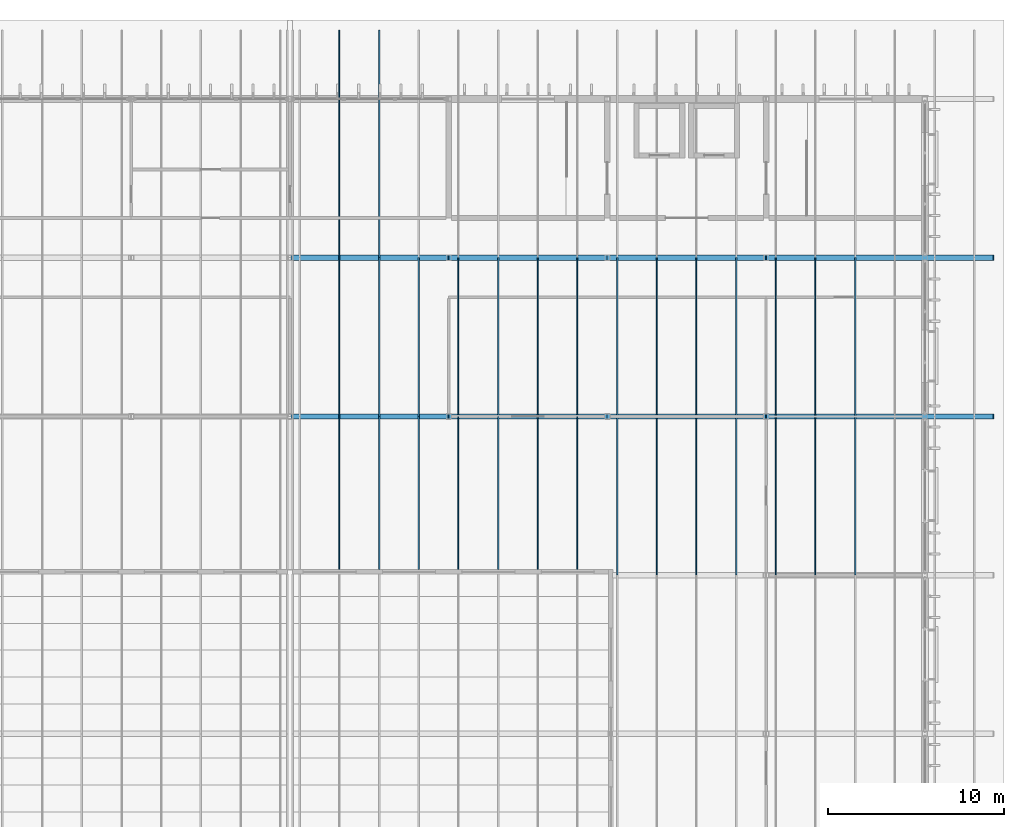
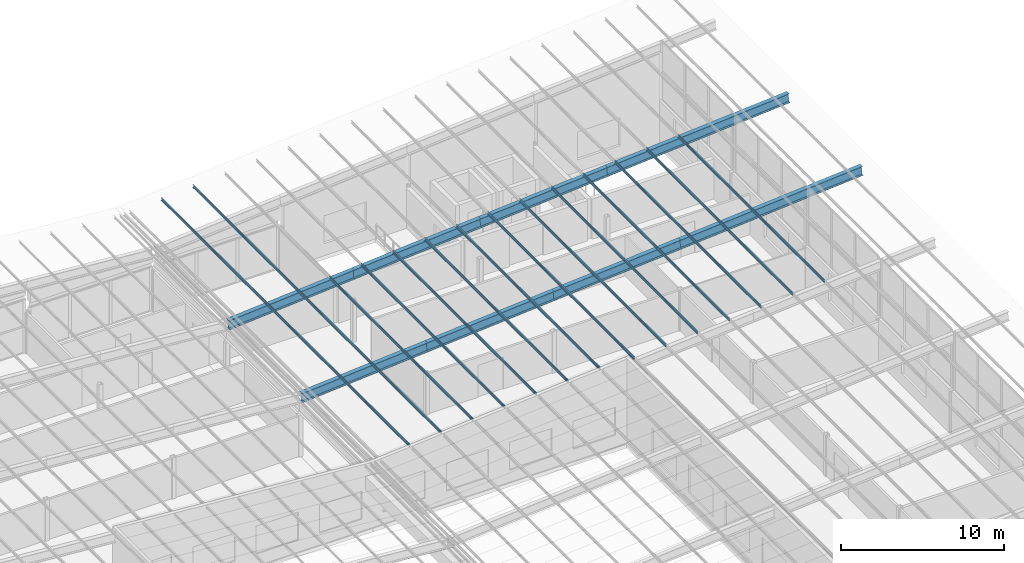
# One storey, part 57 of 85: 38 members.
"""IFC4 building model written with IfcOpenShell, lengths in metres."""

from ifc_helpers import new_model, si_unit, direction, frame, origin, origin_2d, place, context, subcontext, project, spatial, polyline, i_section, outline, extrude, material, material_profile, profile_set, type_object, element, save


model = new_model("IFC4")

# Units and contexts
model_context = context("Model", 3, precision=1e-05, world=origin(), true_north=direction((0.0, 1.0)))
body_context = subcontext(model_context, "Body", "Model", "MODEL_VIEW")
ifc_project = project(units=[si_unit("LENGTHUNIT", "METRE"), si_unit("AREAUNIT", "SQUARE_METRE"), si_unit("VOLUMEUNIT", "CUBIC_METRE"), si_unit("PLANEANGLEUNIT", "RADIAN"), si_unit("MASSUNIT", "GRAM", prefix="KILO")], contexts=[model_context])

# Site, building, storey
site_placement = place(None, origin())
site = spatial("IfcSite", under=ifc_project, at=site_placement, CompositionType="ELEMENT")
building_placement = place(site_placement, origin())
building = spatial("IfcBuilding", under=site, at=building_placement, Name="Opaline Strait Convention Centre", CompositionType="ELEMENT")
storey_placement = place(building_placement, frame((0.0, 0.0, 17.0)))
storey = spatial("IfcBuildingStorey", under=building, at=storey_placement, Name="L03", CompositionType="ELEMENT", Elevation=17.0)

# Members
ifc_material = material(Name="Steel Q355B", Category="steel")
ifc_material_profile_1 = material_profile(ifc_material, outline(polyline([(-0.034912109375, -0.10009765625), (0.034912109375, -0.10009765625), (0.034912109375, -0.080078125), (0.032470703125, -0.080078125), (0.032470703125, -0.097412109375), (-0.032470703125, -0.097412109375), (-0.032470703125, 0.097412109375), (0.032470703125, 0.097412109375), (0.032470703125, 0.080078125), (0.034912109375, 0.080078125), (0.034912109375, 0.10009765625), (-0.034912109375, 0.10009765625), (-0.034912109375, -0.10009765625)])), Name="C 200x70x20x2.5")
ifc_profile_set_1 = profile_set([ifc_material_profile_1], Name="Steel Q355B")
member_type_1 = type_object("IfcMemberType", Name="Roof purlin C 200x70x20x2.5", PredefinedType="PURLIN", material=ifc_profile_set_1)
member_1_placement = place(storey_placement, frame((326.800048828125, 153.324951171875, 5.02294921875), z_axis=(0.0, 1.0, 0.0), x_axis=(-0.996917333733, 0.0, 0.078459095728)))
element("IfcMember", 1, at=member_1_placement, inside=storey, type_object=member_type_1, Name="MRP1 purlin E wing 238", PredefinedType="PURLIN", context=body_context, shape_type="SweptSolid", body=[
    extrude(outline(polyline([(-0.034912109375, -0.10009765625), (0.034912109375, -0.10009765625), (0.034912109375, -0.080078125), (0.032470703125, -0.080078125), (0.032470703125, -0.097412109375), (-0.032470703125, -0.097412109375), (-0.032470703125, 0.097412109375), (0.032470703125, 0.097412109375), (0.032470703125, 0.080078125), (0.034912109375, 0.080078125), (0.034912109375, 0.10009765625), (-0.034912109375, 0.10009765625), (-0.034912109375, -0.10009765625)])), origin(), (0.0, 0.0, 1.0), 8.675048828125),
])
member_2_placement = place(storey_placement, frame((326.800048828125, 162.0, 5.02294921875), z_axis=(0.0, 1.0, 0.0), x_axis=(-0.996917333733, 0.0, 0.078459095728)))
element("IfcMember", 2, at=member_2_placement, inside=storey, type_object=member_type_1, Name="MRP1 purlin E wing 239", PredefinedType="PURLIN", context=body_context, shape_type="SweptSolid", body=[
    extrude(outline(polyline([(-0.034912109375, -0.10009765625), (0.034912109375, -0.10009765625), (0.034912109375, -0.080078125), (0.032470703125, -0.080078125), (0.032470703125, -0.097412109375), (-0.032470703125, -0.097412109375), (-0.032470703125, 0.097412109375), (0.032470703125, 0.097412109375), (0.032470703125, 0.080078125), (0.034912109375, 0.080078125), (0.034912109375, 0.10009765625), (-0.034912109375, 0.10009765625), (-0.034912109375, -0.10009765625)])), origin(), (0.0, 0.0, 1.0), 9.0),
])
member_3_placement = place(storey_placement, frame((326.800048828125, 171.0, 5.02294921875), z_axis=(0.0, 1.0, 0.0), x_axis=(-0.996917333733, 0.0, 0.078459095728)))
element("IfcMember", 3, at=member_3_placement, inside=storey, type_object=member_type_1, Name="MRP1 purlin E wing 240", PredefinedType="PURLIN", context=body_context, shape_type="SweptSolid", body=[
    extrude(outline(polyline([(-0.034912109375, -0.10009765625), (0.034912109375, -0.10009765625), (0.034912109375, -0.080078125), (0.032470703125, -0.080078125), (0.032470703125, -0.097412109375), (-0.032470703125, -0.097412109375), (-0.032470703125, 0.097412109375), (0.032470703125, 0.097412109375), (0.032470703125, 0.080078125), (0.034912109375, 0.080078125), (0.034912109375, 0.10009765625), (-0.034912109375, 0.10009765625), (-0.034912109375, -0.10009765625)])), origin(), (0.0, 0.0, 1.0), 12.89990234375),
])
member_4_placement = place(storey_placement, frame((329.050048828125, 153.324951171875, 5.199951171875), z_axis=(0.0, 1.0, 0.0), x_axis=(-0.996917333733, 0.0, 0.078459095728)))
element("IfcMember", 4, at=member_4_placement, inside=storey, type_object=member_type_1, Name="MRP1 purlin E wing 248", PredefinedType="PURLIN", context=body_context, shape_type="SweptSolid", body=[
    extrude(outline(polyline([(-0.034912109375, -0.10009765625), (0.034912109375, -0.10009765625), (0.034912109375, -0.080078125), (0.032470703125, -0.080078125), (0.032470703125, -0.097412109375), (-0.032470703125, -0.097412109375), (-0.032470703125, 0.097412109375), (0.032470703125, 0.097412109375), (0.032470703125, 0.080078125), (0.034912109375, 0.080078125), (0.034912109375, 0.10009765625), (-0.034912109375, 0.10009765625), (-0.034912109375, -0.10009765625)])), origin(), (0.0, 0.0, 1.0), 8.675048828125),
])
member_5_placement = place(storey_placement, frame((329.050048828125, 162.0, 5.199951171875), z_axis=(0.0, 1.0, 0.0), x_axis=(-0.996917333733, 0.0, 0.078459095728)))
element("IfcMember", 5, at=member_5_placement, inside=storey, type_object=member_type_1, Name="MRP1 purlin E wing 249", PredefinedType="PURLIN", context=body_context, shape_type="SweptSolid", body=[
    extrude(outline(polyline([(-0.034912109375, -0.10009765625), (0.034912109375, -0.10009765625), (0.034912109375, -0.080078125), (0.032470703125, -0.080078125), (0.032470703125, -0.097412109375), (-0.032470703125, -0.097412109375), (-0.032470703125, 0.097412109375), (0.032470703125, 0.097412109375), (0.032470703125, 0.080078125), (0.034912109375, 0.080078125), (0.034912109375, 0.10009765625), (-0.034912109375, 0.10009765625), (-0.034912109375, -0.10009765625)])), origin(), (0.0, 0.0, 1.0), 9.0),
])
member_6_placement = place(storey_placement, frame((329.050048828125, 171.0, 5.199951171875), z_axis=(0.0, 1.0, 0.0), x_axis=(-0.996917333733, 0.0, 0.078459095728)))
element("IfcMember", 6, at=member_6_placement, inside=storey, type_object=member_type_1, Name="MRP1 purlin E wing 250", PredefinedType="PURLIN", context=body_context, shape_type="SweptSolid", body=[
    extrude(outline(polyline([(-0.034912109375, -0.10009765625), (0.034912109375, -0.10009765625), (0.034912109375, -0.080078125), (0.032470703125, -0.080078125), (0.032470703125, -0.097412109375), (-0.032470703125, -0.097412109375), (-0.032470703125, 0.097412109375), (0.032470703125, 0.097412109375), (0.032470703125, 0.080078125), (0.034912109375, 0.080078125), (0.034912109375, 0.10009765625), (-0.034912109375, 0.10009765625), (-0.034912109375, -0.10009765625)])), origin(), (0.0, 0.0, 1.0), 12.89990234375),
])
member_7_placement = place(storey_placement, frame((331.300048828125, 153.324951171875, 5.376953125), z_axis=(0.0, 1.0, 0.0), x_axis=(-0.996917333733, 0.0, 0.078459095728)))
element("IfcMember", 7, at=member_7_placement, inside=storey, type_object=member_type_1, Name="MRP1 purlin E wing 258", PredefinedType="PURLIN", context=body_context, shape_type="SweptSolid", body=[
    extrude(outline(polyline([(-0.034912109375, -0.10009765625), (0.034912109375, -0.10009765625), (0.034912109375, -0.080078125), (0.032470703125, -0.080078125), (0.032470703125, -0.097412109375), (-0.032470703125, -0.097412109375), (-0.032470703125, 0.097412109375), (0.032470703125, 0.097412109375), (0.032470703125, 0.080078125), (0.034912109375, 0.080078125), (0.034912109375, 0.10009765625), (-0.034912109375, 0.10009765625), (-0.034912109375, -0.10009765625)])), origin(), (0.0, 0.0, 1.0), 8.675048828125),
])
member_8_placement = place(storey_placement, frame((331.300048828125, 162.0, 5.376953125), z_axis=(0.0, 1.0, 0.0), x_axis=(-0.996917333733, 0.0, 0.078459095728)))
element("IfcMember", 8, at=member_8_placement, inside=storey, type_object=member_type_1, Name="MRP1 purlin E wing 259", PredefinedType="PURLIN", context=body_context, shape_type="SweptSolid", body=[
    extrude(outline(polyline([(-0.034912109375, -0.10009765625), (0.034912109375, -0.10009765625), (0.034912109375, -0.080078125), (0.032470703125, -0.080078125), (0.032470703125, -0.097412109375), (-0.032470703125, -0.097412109375), (-0.032470703125, 0.097412109375), (0.032470703125, 0.097412109375), (0.032470703125, 0.080078125), (0.034912109375, 0.080078125), (0.034912109375, 0.10009765625), (-0.034912109375, 0.10009765625), (-0.034912109375, -0.10009765625)])), origin(), (0.0, 0.0, 1.0), 9.0),
])
member_9_placement = place(storey_placement, frame((333.550048828125, 153.324951171875, 5.553955078125), z_axis=(0.0, 1.0, 0.0), x_axis=(-0.996917333733, 0.0, 0.078459095728)))
element("IfcMember", 9, at=member_9_placement, inside=storey, type_object=member_type_1, Name="MRP1 purlin E wing 268", PredefinedType="PURLIN", context=body_context, shape_type="SweptSolid", body=[
    extrude(outline(polyline([(-0.034912109375, -0.10009765625), (0.034912109375, -0.10009765625), (0.034912109375, -0.080078125), (0.032470703125, -0.080078125), (0.032470703125, -0.097412109375), (-0.032470703125, -0.097412109375), (-0.032470703125, 0.097412109375), (0.032470703125, 0.097412109375), (0.032470703125, 0.080078125), (0.034912109375, 0.080078125), (0.034912109375, 0.10009765625), (-0.034912109375, 0.10009765625), (-0.034912109375, -0.10009765625)])), origin(), (0.0, 0.0, 1.0), 8.675048828125),
])
member_10_placement = place(storey_placement, frame((333.550048828125, 162.0, 5.553955078125), z_axis=(0.0, 1.0, 0.0), x_axis=(-0.996917333733, 0.0, 0.078459095728)))
element("IfcMember", 10, at=member_10_placement, inside=storey, type_object=member_type_1, Name="MRP1 purlin E wing 269", PredefinedType="PURLIN", context=body_context, shape_type="SweptSolid", body=[
    extrude(outline(polyline([(-0.034912109375, -0.10009765625), (0.034912109375, -0.10009765625), (0.034912109375, -0.080078125), (0.032470703125, -0.080078125), (0.032470703125, -0.097412109375), (-0.032470703125, -0.097412109375), (-0.032470703125, 0.097412109375), (0.032470703125, 0.097412109375), (0.032470703125, 0.080078125), (0.034912109375, 0.080078125), (0.034912109375, 0.10009765625), (-0.034912109375, 0.10009765625), (-0.034912109375, -0.10009765625)])), origin(), (0.0, 0.0, 1.0), 9.0),
])
member_11_placement = place(storey_placement, frame((335.800048828125, 153.324951171875, 5.731201171875), z_axis=(0.0, 1.0, 0.0), x_axis=(-0.996917333733, 0.0, 0.078459095728)))
element("IfcMember", 11, at=member_11_placement, inside=storey, type_object=member_type_1, Name="MRP1 purlin E wing 278", PredefinedType="PURLIN", context=body_context, shape_type="SweptSolid", body=[
    extrude(outline(polyline([(-0.034912109375, -0.10009765625), (0.034912109375, -0.10009765625), (0.034912109375, -0.080078125), (0.032470703125, -0.080078125), (0.032470703125, -0.097412109375), (-0.032470703125, -0.097412109375), (-0.032470703125, 0.097412109375), (0.032470703125, 0.097412109375), (0.032470703125, 0.080078125), (0.034912109375, 0.080078125), (0.034912109375, 0.10009765625), (-0.034912109375, 0.10009765625), (-0.034912109375, -0.10009765625)])), origin(), (0.0, 0.0, 1.0), 8.675048828125),
])
member_12_placement = place(storey_placement, frame((335.800048828125, 162.0, 5.731201171875), z_axis=(0.0, 1.0, 0.0), x_axis=(-0.996917333733, 0.0, 0.078459095728)))
element("IfcMember", 12, at=member_12_placement, inside=storey, type_object=member_type_1, Name="MRP1 purlin E wing 279", PredefinedType="PURLIN", context=body_context, shape_type="SweptSolid", body=[
    extrude(outline(polyline([(-0.034912109375, -0.10009765625), (0.034912109375, -0.10009765625), (0.034912109375, -0.080078125), (0.032470703125, -0.080078125), (0.032470703125, -0.097412109375), (-0.032470703125, -0.097412109375), (-0.032470703125, 0.097412109375), (0.032470703125, 0.097412109375), (0.032470703125, 0.080078125), (0.034912109375, 0.080078125), (0.034912109375, 0.10009765625), (-0.034912109375, 0.10009765625), (-0.034912109375, -0.10009765625)])), origin(), (0.0, 0.0, 1.0), 9.0),
])
member_13_placement = place(storey_placement, frame((338.050048828125, 153.324951171875, 5.908203125), z_axis=(0.0, 1.0, 0.0), x_axis=(-0.996917333733, 0.0, 0.078459095728)))
element("IfcMember", 13, at=member_13_placement, inside=storey, type_object=member_type_1, Name="MRP1 purlin E wing 288", PredefinedType="PURLIN", context=body_context, shape_type="SweptSolid", body=[
    extrude(outline(polyline([(-0.034912109375, -0.10009765625), (0.034912109375, -0.10009765625), (0.034912109375, -0.080078125), (0.032470703125, -0.080078125), (0.032470703125, -0.097412109375), (-0.032470703125, -0.097412109375), (-0.032470703125, 0.097412109375), (0.032470703125, 0.097412109375), (0.032470703125, 0.080078125), (0.034912109375, 0.080078125), (0.034912109375, 0.10009765625), (-0.034912109375, 0.10009765625), (-0.034912109375, -0.10009765625)])), origin(), (0.0, 0.0, 1.0), 8.675048828125),
])
member_14_placement = place(storey_placement, frame((338.050048828125, 162.0, 5.908203125), z_axis=(0.0, 1.0, 0.0), x_axis=(-0.996917333733, 0.0, 0.078459095728)))
element("IfcMember", 14, at=member_14_placement, inside=storey, type_object=member_type_1, Name="MRP1 purlin E wing 289", PredefinedType="PURLIN", context=body_context, shape_type="SweptSolid", body=[
    extrude(outline(polyline([(-0.034912109375, -0.10009765625), (0.034912109375, -0.10009765625), (0.034912109375, -0.080078125), (0.032470703125, -0.080078125), (0.032470703125, -0.097412109375), (-0.032470703125, -0.097412109375), (-0.032470703125, 0.097412109375), (0.032470703125, 0.097412109375), (0.032470703125, 0.080078125), (0.034912109375, 0.080078125), (0.034912109375, 0.10009765625), (-0.034912109375, 0.10009765625), (-0.034912109375, -0.10009765625)])), origin(), (0.0, 0.0, 1.0), 9.0),
])
member_15_placement = place(storey_placement, frame((340.300048828125, 153.324951171875, 6.085205078125), z_axis=(0.0, 1.0, 0.0), x_axis=(-0.996917333733, 0.0, 0.078459095728)))
element("IfcMember", 15, at=member_15_placement, inside=storey, type_object=member_type_1, Name="MRP1 purlin E wing 298", PredefinedType="PURLIN", context=body_context, shape_type="SweptSolid", body=[
    extrude(outline(polyline([(-0.034912109375, -0.10009765625), (0.034912109375, -0.10009765625), (0.034912109375, -0.080078125), (0.032470703125, -0.080078125), (0.032470703125, -0.097412109375), (-0.032470703125, -0.097412109375), (-0.032470703125, 0.097412109375), (0.032470703125, 0.097412109375), (0.032470703125, 0.080078125), (0.034912109375, 0.080078125), (0.034912109375, 0.10009765625), (-0.034912109375, 0.10009765625), (-0.034912109375, -0.10009765625)])), origin(), (0.0, 0.0, 1.0), 8.675048828125),
])
for number, where, z_axis, x_axis, name in (
    (16, (340.300048828125, 162.0, 6.085205078125), (0.0, 1.0, 0.0), (-0.996917333733, 0.0, 0.078459095728), "MRP1 purlin E wing 299"),
    (17, (342.550048828125, 153.0, 6.262451171875), (0.0, 1.0, 0.0), (-0.996917333733, 0.0, 0.078459095728), "MRP1 purlin E wing 308"),
    (18, (342.550048828125, 162.0, 6.262451171875), (0.0, 1.0, 0.0), (-0.996917333733, 0.0, 0.078459095728), "MRP1 purlin E wing 309"),
    (19, (344.800048828125, 153.0, 6.439453125), (0.0, 1.0, 0.0), (-0.996917333733, 0.0, 0.078459095728), "MRP1 purlin E wing 318"),
    (20, (344.800048828125, 162.0, 6.439453125), (0.0, 1.0, 0.0), (-0.996917333733, 0.0, 0.078459095728), "MRP1 purlin E wing 319"),
    (21, (347.050048828125, 153.0, 6.616455078125), (0.0, 1.0, 0.0), (-0.996917333733, 0.0, 0.078459095728), "MRP1 purlin E wing 328"),
    (22, (347.050048828125, 162.0, 6.616455078125), (0.0, 1.0, 0.0), (-0.996917333733, 0.0, 0.078459095728), "MRP1 purlin E wing 329"),
    (23, (349.300048828125, 153.0, 6.793701171875), (0.0, 1.0, 0.0), (-0.996917333733, 0.0, 0.078459095728), "MRP1 purlin E wing 338"),
    (24, (349.300048828125, 162.0, 6.793701171875), (0.0, 1.0, 0.0), (-0.996917333733, 0.0, 0.078459095728), "MRP1 purlin E wing 339"),
    (25, (351.550048828125, 153.0, 6.970703125), (0.0, 1.0, 0.0), (-0.996917333733, 0.0, 0.078459095728), "MRP1 purlin E wing 348"),
    (26, (351.550048828125, 162.0, 6.970703125), (0.0, 1.0, 0.0), (-0.996917333733, 0.0, 0.078459095728), "MRP1 purlin E wing 349"),
    (27, (353.800048828125, 153.0, 7.147705078125), (0.0, 1.0, 0.0), (-0.996917333733, 0.0, 0.078459095728), "MRP1 purlin E wing 358"),
    (28, (353.800048828125, 162.0, 7.147705078125), (0.0, 1.0, 0.0), (-0.996917333733, 0.0, 0.078459095728), "MRP1 purlin E wing 359"),
    (29, (356.050048828125, 153.0, 7.324951171875), (0.0, 1.0, 0.0), (-0.996917333733, 0.0, 0.078459095728), "MRP1 purlin E wing 368"),
    (30, (356.050048828125, 162.0, 7.324951171875), (0.0, 1.0, 0.0), (-0.996917333733, 0.0, 0.078459095728), "MRP1 purlin E wing 369"),
):
    element("IfcMember", number, at=place(storey_placement, frame(where, z_axis=z_axis, x_axis=x_axis)), inside=storey, type_object=member_type_1, Name=name, PredefinedType="PURLIN", context=body_context, shape_type="SweptSolid", body=[
        extrude(outline(polyline([(-0.034912109375, -0.10009765625), (0.034912109375, -0.10009765625), (0.034912109375, -0.080078125), (0.032470703125, -0.080078125), (0.032470703125, -0.097412109375), (-0.032470703125, -0.097412109375), (-0.032470703125, 0.097412109375), (0.032470703125, 0.097412109375), (0.032470703125, 0.080078125), (0.034912109375, 0.080078125), (0.034912109375, 0.10009765625), (-0.034912109375, 0.10009765625), (-0.034912109375, -0.10009765625)])), origin(), (0.0, 0.0, 1.0), 9.0),
    ])
ifc_material_profile_2 = material_profile(ifc_material, i_section(OverallWidth=0.300048828125, OverallDepth=0.699951171875, WebThickness=0.012939453125, FlangeThickness=0.02392578125, FilletRadius=0.01806640625, at=origin_2d()), Name="HN 700x300x13x24")
ifc_profile_set_2 = profile_set([ifc_material_profile_2], Name="Steel Q355B")
member_type_2 = type_object("IfcMemberType", Name="Roof rafter HN 700x300x13x24", PredefinedType="RAFTER", material=ifc_profile_set_2)
member_16_placement = place(storey_placement, frame((324.10009765625, 162.0, 4.35888671875), z_axis=(0.996917316665, 0.0, 0.0784593126), x_axis=(0.0, 1.0, 0.0)))
element("IfcMember", 31, at=member_16_placement, inside=storey, type_object=member_type_2, Name="MRR1 rafter y 162", PredefinedType="RAFTER", context=body_context, shape_type="SweptSolid", body=[
    extrude(i_section(OverallWidth=0.300048828125, OverallDepth=0.699951171875, WebThickness=0.012939453125, FlangeThickness=0.02392578125, FilletRadius=0.01806640625, at=origin_2d()), origin(), (0.0, 0.0, 1.0), 8.927490234375),
])
for number, where, z_axis, x_axis, name in (
    (32, (333.0, 162.0, 5.059326171875), (0.99691576767, 0.0, 0.07847899191), (0.0, 1.0, 0.0), "MRR1 rafter y 162"),
    (33, (342.0, 162.0, 5.767822265625), (0.996917883079, 0.0, 0.078452115311), (0.0, 1.0, 0.0), "MRR1 rafter y 162"),
):
    element("IfcMember", number, at=place(storey_placement, frame(where, z_axis=z_axis, x_axis=x_axis)), inside=storey, type_object=member_type_2, Name=name, PredefinedType="RAFTER", context=body_context, shape_type="SweptSolid", body=[
        extrude(i_section(OverallWidth=0.300048828125, OverallDepth=0.699951171875, WebThickness=0.012939453125, FlangeThickness=0.02392578125, FilletRadius=0.01806640625, at=origin_2d()), origin(), (0.0, 0.0, 1.0), 9.02783203125),
    ])
member_17_placement = place(storey_placement, frame((351.0, 162.0, 6.47607421875), z_axis=(0.996917984192, 0.0, 0.07845083043), x_axis=(0.0, 1.0, 0.0)))
element("IfcMember", 34, at=member_17_placement, inside=storey, type_object=member_type_2, Name="MRR1 rafter y 162", PredefinedType="RAFTER", context=body_context, shape_type="SweptSolid", body=[
    extrude(i_section(OverallWidth=0.300048828125, OverallDepth=0.699951171875, WebThickness=0.012939453125, FlangeThickness=0.02392578125, FilletRadius=0.01806640625, at=origin_2d()), origin(), (0.0, 0.0, 1.0), 12.939697265625),
])
member_18_placement = place(storey_placement, frame((324.10009765625, 171.0, 4.35888671875), z_axis=(0.996917316665, 0.0, 0.0784593126), x_axis=(0.0, 1.0, 0.0)))
element("IfcMember", 35, at=member_18_placement, inside=storey, type_object=member_type_2, Name="MRR1 rafter y 171", PredefinedType="RAFTER", context=body_context, shape_type="SweptSolid", body=[
    extrude(i_section(OverallWidth=0.300048828125, OverallDepth=0.699951171875, WebThickness=0.012939453125, FlangeThickness=0.02392578125, FilletRadius=0.01806640625, at=origin_2d()), origin(), (0.0, 0.0, 1.0), 8.927490234375),
])
for number, where, z_axis, x_axis, name in (
    (36, (333.0, 171.0, 5.059326171875), (0.99691576767, 0.0, 0.07847899191), (0.0, 1.0, 0.0), "MRR1 rafter y 171"),
    (37, (342.0, 171.0, 5.767822265625), (0.996917883079, 0.0, 0.078452115311), (0.0, 1.0, 0.0), "MRR1 rafter y 171"),
):
    element("IfcMember", number, at=place(storey_placement, frame(where, z_axis=z_axis, x_axis=x_axis)), inside=storey, type_object=member_type_2, Name=name, PredefinedType="RAFTER", context=body_context, shape_type="SweptSolid", body=[
        extrude(i_section(OverallWidth=0.300048828125, OverallDepth=0.699951171875, WebThickness=0.012939453125, FlangeThickness=0.02392578125, FilletRadius=0.01806640625, at=origin_2d()), origin(), (0.0, 0.0, 1.0), 9.02783203125),
    ])
member_19_placement = place(storey_placement, frame((351.0, 171.0, 6.47607421875), z_axis=(0.996917984192, 0.0, 0.07845083043), x_axis=(0.0, 1.0, 0.0)))
element("IfcMember", 38, at=member_19_placement, inside=storey, type_object=member_type_2, Name="MRR1 rafter y 171", PredefinedType="RAFTER", context=body_context, shape_type="SweptSolid", body=[
    extrude(i_section(OverallWidth=0.300048828125, OverallDepth=0.699951171875, WebThickness=0.012939453125, FlangeThickness=0.02392578125, FilletRadius=0.01806640625, at=origin_2d()), origin(), (0.0, 0.0, 1.0), 12.939697265625),
])

save(model, "model.ifc")
